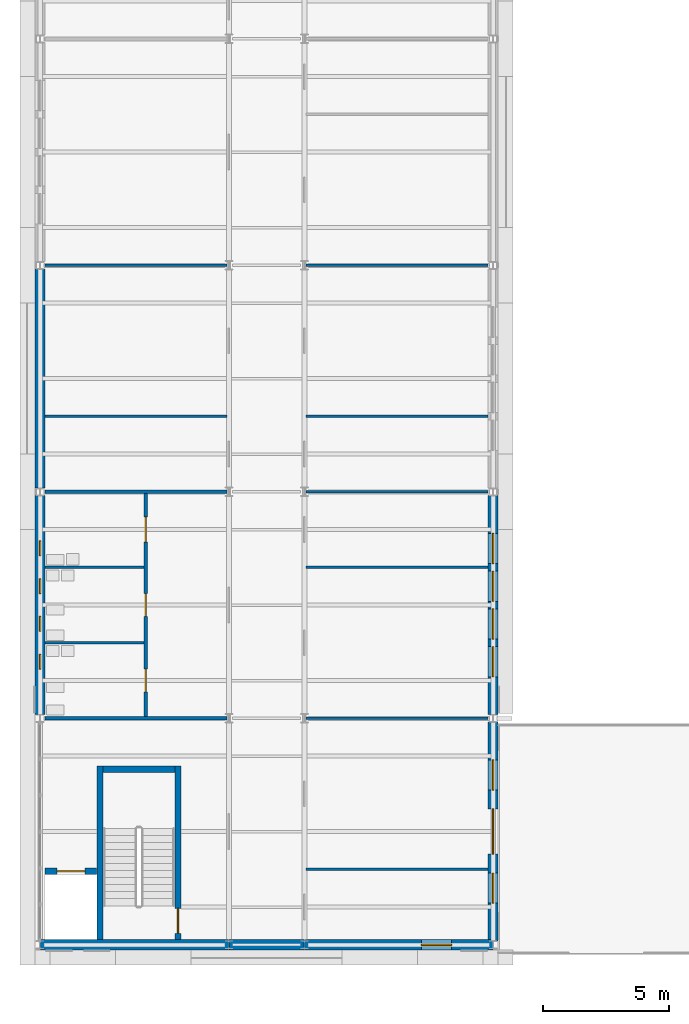
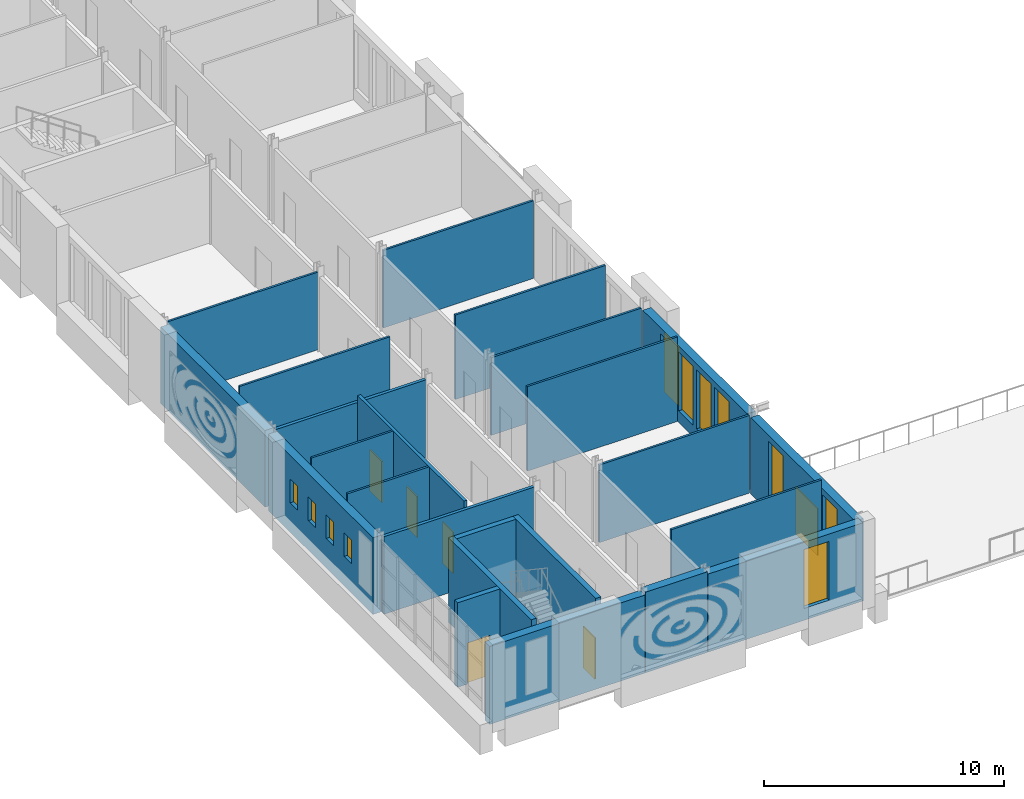
# One storey, part 69 of 134: 24 walls, 11 windows, 6 doors, 17 openings.
"""IFC4 building model written with IfcOpenShell, lengths in metres."""

from ifc_helpers import new_model, si_unit, direction, frame, frame_2d, origin, place, context, subcontext, project, spatial, rectangle, extrude, material, layer, layer_set, type_object, element, fill, save


model = new_model("IFC4")

# Units and contexts
model_context = context("Model", 3, precision=1e-05, world=origin(), true_north=direction((0.0, 1.0)))
body_context = subcontext(model_context, "Body", "Model", "MODEL_VIEW")
ifc_project = project(units=[si_unit("LENGTHUNIT", "METRE"), si_unit("AREAUNIT", "SQUARE_METRE"), si_unit("VOLUMEUNIT", "CUBIC_METRE"), si_unit("PLANEANGLEUNIT", "RADIAN"), si_unit("MASSUNIT", "GRAM", prefix="KILO")], contexts=[model_context])

# Site, building, storey
site_placement = place(None, origin())
site = spatial("IfcSite", under=ifc_project, at=site_placement, CompositionType="ELEMENT")
building_placement = place(site_placement, origin())
building = spatial("IfcBuilding", under=site, at=building_placement, Name="Golden Quay Civic Hall", CompositionType="ELEMENT")
storey_placement = place(building_placement, frame((0.0, 0.0, 5.39990234375)))
storey = spatial("IfcBuildingStorey", under=building, at=storey_placement, Name="L01", CompositionType="ELEMENT", Elevation=5.39990234375)

# Wall
ifc_material_1 = material(Name="Concrete C40/50", Category="concrete")
ifc_layer_1 = layer(ifc_material_1, 0.25)
ifc_layer_set_1 = layer_set([ifc_layer_1], Name="Concrete core wall 250, Concrete C40/50")
wall_type_1 = type_object("IfcWallType", Name="Concrete core wall 250", PredefinedType="SHEAR", material=ifc_layer_set_1)
wall_1_placement = place(storey_placement, frame((2.375, -8.800048828125, 0.0), z_axis=(0.0, 0.0, 1.0), x_axis=(0.0, 1.0, 0.0)))
element("IfcWall", 1, at=wall_1_placement, inside=storey, type_object=wall_type_1, Name="Core wall WO-S-W1", PredefinedType="SHEAR", context=body_context, shape_type="SweptSolid", body=[
    extrude(rectangle(XDim=6.900146484375, YDim=0.25, at=frame_2d((3.4501953125, 0.0))), origin(), (0.0, 0.0, 1.0), 4.300048828125),
])

# Wall, opening, door
wall_2_placement = place(storey_placement, frame((5.47509765625, -8.800048828125, 0.0), z_axis=(0.0, 0.0, 1.0), x_axis=(0.0, 1.0, 0.0)))
wall_2 = element("IfcWall", 2, at=wall_2_placement, inside=storey, type_object=wall_type_1, Name="Core wall WO-S-W2", PredefinedType="SHEAR", context=body_context, shape_type="SweptSolid", body=[
    extrude(rectangle(XDim=6.900146484375, YDim=0.25, at=frame_2d((3.4501953125, 0.0))), origin(), (0.0, 0.0, 1.0), 4.300048828125),
])
opening_1_placement = place(wall_2_placement, frame((0.25, 0.0, 0.0)))
opening_1 = element("IfcOpeningElement", 3, at=opening_1_placement, cuts=wall_2, Name="Opening L01-D052", PredefinedType="OPENING", context=body_context, shape_type="SweptSolid", body=[
    extrude(rectangle(XDim=1.0, YDim=2.10009765625, at=frame_2d((0.5, 1.050048828125))), frame((0.0, 0.135009765625, 0.0), z_axis=(0.0, -1.0, 0.0), x_axis=(1.0, 0.0, 0.0)), (0.0, 0.0, 1.0), 0.27001953125),
])
ifc_material_2 = material(Name="Steel", Category="steel")
door_type_1 = type_object("IfcDoorType", Name="Steel fire door FD60 1000 x 2100", OperationType="SINGLE_SWING_LEFT", PredefinedType="DOOR", material=ifc_material_2)
door_1_placement = place(opening_1_placement, origin())
door_1 = element("IfcDoor", 4, at=door_1_placement, inside=storey, type_object=door_type_1, Name="Door L01-D052", OperationType="SINGLE_SWING_LEFT", OverallHeight=2.10009765625, OverallWidth=1.0, PredefinedType="DOOR", context=body_context, shape_type="SweptSolid", body=[
    extrude(rectangle(XDim=1.0, YDim=2.10009765625, at=frame_2d((0.5, 1.050048828125))), frame((0.0, 0.02490234375, 0.0), z_axis=(0.0, -1.0, 0.0), x_axis=(1.0, 0.0, 0.0)), (0.0, 0.0, 1.0), 0.050048828125),
])
fill(opening_1, door_1)

# Wall
wall_3_placement = place(storey_placement, frame((2.5, -2.02490234375, 0.0), z_axis=(0.0, 0.0, 1.0), x_axis=(1.0, 0.0, 0.0)))
element("IfcWall", 5, at=wall_3_placement, inside=storey, type_object=wall_type_1, Name="Core wall WO-S-W3", PredefinedType="SHEAR", context=body_context, shape_type="SweptSolid", body=[
    extrude(rectangle(XDim=2.85009765625, YDim=0.25, at=frame_2d((1.425048828125, 0.0))), origin(), (0.0, 0.0, 1.0), 4.300048828125),
])

# Wall, opening, door
wall_4_placement = place(storey_placement, frame((0.199951171875, -6.074951171875, 0.0), z_axis=(0.0, 0.0, 1.0), x_axis=(1.0, 0.0, 0.0)))
wall_4 = element("IfcWall", 6, at=wall_4_placement, inside=storey, type_object=wall_type_1, Name="Core wall WO-S-W4", PredefinedType="SHEAR", context=body_context, shape_type="SweptSolid", body=[
    extrude(rectangle(XDim=2.050048828125, YDim=0.25, at=frame_2d((1.02490234375, 0.0))), origin(), (0.0, 0.0, 1.0), 4.300048828125),
])
opening_2_placement = place(wall_4_placement, frame((0.47509765625, 0.0, 0.0)))
opening_2 = element("IfcOpeningElement", 7, at=opening_2_placement, cuts=wall_4, Name="Opening L01-D068", PredefinedType="OPENING", context=body_context, shape_type="SweptSolid", body=[
    extrude(rectangle(XDim=1.10009765625, YDim=2.10009765625, at=frame_2d((0.550048828125, 1.050048828125))), frame((0.0, 0.135009765625, 0.0), z_axis=(0.0, -1.0, 0.0), x_axis=(1.0, 0.0, 0.0)), (0.0, 0.0, 1.0), 0.27001953125),
])
ifc_material_3 = material(Name="Steel", Category="steel")
door_type_2 = type_object("IfcDoorType", Name="Lift landing door 1100 x 2100", OperationType="SLIDING_TO_LEFT", PredefinedType="DOOR", material=ifc_material_3)
door_2_placement = place(opening_2_placement, origin())
door_2 = element("IfcDoor", 8, at=door_2_placement, inside=storey, type_object=door_type_2, Name="Lift landing door L01-D068 WO-S", OperationType="SLIDING_TO_LEFT", OverallHeight=2.10009765625, OverallWidth=1.10009765625, PredefinedType="DOOR", context=body_context, shape_type="SweptSolid", body=[
    extrude(rectangle(XDim=1.10009765625, YDim=2.10009765625, at=frame_2d((0.550048828125, 1.050048828125))), frame((0.0, 0.02490234375, 0.0), z_axis=(0.0, -1.0, 0.0), x_axis=(1.0, 0.0, 0.0)), (0.0, 0.0, 1.0), 0.050048828125),
])
fill(opening_2, door_2)

# Walls
ifc_material_4 = material(Name="Plasterboard on steel studs", Category="steel")
ifc_layer_2 = layer(ifc_material_4, 0.10009765625)
ifc_layer_set_2 = layer_set([ifc_layer_2], Name="Partition 100 stud")
wall_type_2 = type_object("IfcWallType", Name="Partition 100 stud", PredefinedType="PARTITIONING", material=ifc_layer_set_2)
wall_5_placement = place(storey_placement, frame((0.199951171875, 12.0, 0.0), z_axis=(0.0, 0.0, 1.0), x_axis=(1.0, 0.0, 0.0)))
element("IfcWall", 9, at=wall_5_placement, inside=storey, type_object=wall_type_2, Name="Partition L01-001", PredefinedType="PARTITIONING", context=body_context, shape_type="SweptSolid", body=[
    extrude(rectangle(XDim=7.22509765625, YDim=0.10009765625, at=frame_2d((3.612548828125, 0.0))), origin(), (0.0, 0.0, 1.0), 4.300048828125),
])
wall_6_placement = place(storey_placement, frame((0.199951171875, 18.0, 0.0), z_axis=(0.0, 0.0, 1.0), x_axis=(1.0, 0.0, 0.0)))
element("IfcWall", 10, at=wall_6_placement, inside=storey, type_object=wall_type_2, Name="Partition L01-002", PredefinedType="PARTITIONING", context=body_context, shape_type="SweptSolid", body=[
    extrude(rectangle(XDim=7.22509765625, YDim=0.10009765625, at=frame_2d((3.612548828125, 0.0))), origin(), (0.0, 0.0, 1.0), 3.9501953125),
])
wall_7_placement = place(storey_placement, frame((10.574951171875, -6.0, 0.0), z_axis=(0.0, 0.0, 1.0), x_axis=(1.0, 0.0, 0.0)))
element("IfcWall", 11, at=wall_7_placement, inside=storey, type_object=wall_type_2, Name="Partition L01-010", PredefinedType="PARTITIONING", context=body_context, shape_type="SweptSolid", body=[
    extrude(rectangle(XDim=7.22509765625, YDim=0.10009765625, at=frame_2d((3.612548828125, 0.0))), origin(), (0.0, 0.0, 1.0), 4.300048828125),
])
wall_8_placement = place(storey_placement, frame((10.574951171875, 0.0, 0.0), z_axis=(0.0, 0.0, 1.0), x_axis=(1.0, 0.0, 0.0)))
element("IfcWall", 12, at=wall_8_placement, inside=storey, type_object=wall_type_2, Name="Partition L01-011", PredefinedType="PARTITIONING", context=body_context, shape_type="SweptSolid", body=[
    extrude(rectangle(XDim=7.22509765625, YDim=0.10009765625, at=frame_2d((3.612548828125, 0.0))), origin(), (0.0, 0.0, 1.0), 3.9501953125),
])
wall_9_placement = place(storey_placement, frame((10.574951171875, 6.0, 0.0), z_axis=(0.0, 0.0, 1.0), x_axis=(1.0, 0.0, 0.0)))
element("IfcWall", 13, at=wall_9_placement, inside=storey, type_object=wall_type_2, Name="Partition L01-012", PredefinedType="PARTITIONING", context=body_context, shape_type="SweptSolid", body=[
    extrude(rectangle(XDim=7.22509765625, YDim=0.10009765625, at=frame_2d((3.612548828125, 0.0))), origin(), (0.0, 0.0, 1.0), 4.300048828125),
])
wall_10_placement = place(storey_placement, frame((10.574951171875, 9.0, 0.0), z_axis=(0.0, 0.0, 1.0), x_axis=(1.0, 0.0, 0.0)))
element("IfcWall", 14, at=wall_10_placement, inside=storey, type_object=wall_type_2, Name="Partition L01-013", PredefinedType="PARTITIONING", context=body_context, shape_type="SweptSolid", body=[
    extrude(rectangle(XDim=7.22509765625, YDim=0.10009765625, at=frame_2d((3.612548828125, 0.0))), origin(), (0.0, 0.0, 1.0), 3.9501953125),
])
wall_11_placement = place(storey_placement, frame((10.574951171875, 12.0, 0.0), z_axis=(0.0, 0.0, 1.0), x_axis=(1.0, 0.0, 0.0)))
element("IfcWall", 15, at=wall_11_placement, inside=storey, type_object=wall_type_2, Name="Partition L01-014", PredefinedType="PARTITIONING", context=body_context, shape_type="SweptSolid", body=[
    extrude(rectangle(XDim=7.22509765625, YDim=0.10009765625, at=frame_2d((3.612548828125, 0.0))), origin(), (0.0, 0.0, 1.0), 4.300048828125),
])
wall_12_placement = place(storey_placement, frame((10.574951171875, 18.0, 0.0), z_axis=(0.0, 0.0, 1.0), x_axis=(1.0, 0.0, 0.0)))
element("IfcWall", 16, at=wall_12_placement, inside=storey, type_object=wall_type_2, Name="Partition L01-015", PredefinedType="PARTITIONING", context=body_context, shape_type="SweptSolid", body=[
    extrude(rectangle(XDim=7.22509765625, YDim=0.10009765625, at=frame_2d((3.612548828125, 0.0))), origin(), (0.0, 0.0, 1.0), 3.9501953125),
])
for number, where, z_axis, x_axis, name in (
    (17, (0.199951171875, 3.0, 0.0), (0.0, 0.0, 1.0), (1.0, 0.0, 0.0), "Partition L01-037"),
    (18, (0.199951171875, 6.0, 0.0), (0.0, 0.0, 1.0), (1.0, 0.0, 0.0), "Partition L01-038"),
):
    element("IfcWall", number, at=place(storey_placement, frame(where, z_axis=z_axis, x_axis=x_axis)), inside=storey, type_object=wall_type_2, Name=name, PredefinedType="PARTITIONING", context=body_context, shape_type="SweptSolid", body=[
        extrude(rectangle(XDim=3.925048828125, YDim=0.10009765625, at=frame_2d((1.96240234375, 0.0))), origin(), (0.0, 0.0, 1.0), 4.300048828125),
    ])
ifc_material_5 = material(Name="Plasterboard on steel studs", Category="steel")
ifc_layer_3 = layer(ifc_material_5, 0.14990234375)
ifc_layer_set_3 = layer_set([ifc_layer_3], Name="Partition 150 stud fire EI 60")
wall_type_3 = type_object("IfcWallType", Name="Partition 150 stud fire EI 60", PredefinedType="PARTITIONING", material=ifc_layer_set_3)
for number, where, z_axis, x_axis, name in (
    (19, (0.199951171875, 9.0, 0.0), (0.0, 0.0, 1.0), (1.0, 0.0, 0.0), "Partition L01-000"),
    (20, (0.199951171875, 0.0, 0.0), (0.0, 0.0, 1.0), (1.0, 0.0, 0.0), "Partition L01-026"),
):
    element("IfcWall", number, at=place(storey_placement, frame(where, z_axis=z_axis, x_axis=x_axis)), inside=storey, type_object=wall_type_3, Name=name, PredefinedType="PARTITIONING", context=body_context, shape_type="SweptSolid", body=[
        extrude(rectangle(XDim=7.22509765625, YDim=0.14990234375, at=frame_2d((3.612548828125, 0.0))), origin(), (0.0, 0.0, 1.0), 3.9501953125),
    ])

# Wall, openings, doors
wall_13_placement = place(storey_placement, frame((4.199951171875, 0.074951171875, 0.0), z_axis=(0.0, 0.0, 1.0), x_axis=(0.0, 1.0, 0.0)))
wall_13 = element("IfcWall", 21, at=wall_13_placement, inside=storey, type_object=wall_type_3, Name="Partition L01-036", PredefinedType="PARTITIONING", context=body_context, shape_type="SweptSolid", body=[
    extrude(rectangle(XDim=8.85009765625, YDim=0.14990234375, at=frame_2d((4.425048828125, 0.0))), origin(), (0.0, 0.0, 1.0), 4.300048828125),
])
opening_3_placement = place(wall_13_placement, frame((0.97509765625, 0.0, 0.0)))
opening_3 = element("IfcOpeningElement", 22, at=opening_3_placement, cuts=wall_13, Name="Opening L01-D049", PredefinedType="OPENING", context=body_context, shape_type="SweptSolid", body=[
    extrude(rectangle(XDim=0.89990234375, YDim=2.10009765625, at=frame_2d((0.449951171875, 1.050048828125))), frame((0.0, 0.0849609375, 0.0), z_axis=(0.0, -1.0, 0.0), x_axis=(1.0, 0.0, 0.0)), (0.0, 0.0, 1.0), 0.169921875),
])
opening_4_placement = place(wall_13_placement, frame((3.97509765625, 0.0, 0.0)))
opening_4 = element("IfcOpeningElement", 23, at=opening_4_placement, cuts=wall_13, Name="Opening L01-D050", PredefinedType="OPENING", context=body_context, shape_type="SweptSolid", body=[
    extrude(rectangle(XDim=0.89990234375, YDim=2.10009765625, at=frame_2d((0.449951171875, 1.050048828125))), frame((0.0, 0.0849609375, 0.0), z_axis=(0.0, -1.0, 0.0), x_axis=(1.0, 0.0, 0.0)), (0.0, 0.0, 1.0), 0.169921875),
])
opening_5_placement = place(wall_13_placement, frame((6.925048828125, 0.0, 0.0)))
opening_5 = element("IfcOpeningElement", 24, at=opening_5_placement, cuts=wall_13, Name="Opening L01-D051", PredefinedType="OPENING", context=body_context, shape_type="SweptSolid", body=[
    extrude(rectangle(XDim=1.0, YDim=2.10009765625, at=frame_2d((0.5, 1.050048828125))), frame((0.0, 0.0849609375, 0.0), z_axis=(0.0, -1.0, 0.0), x_axis=(1.0, 0.0, 0.0)), (0.0, 0.0, 1.0), 0.169921875),
])
ifc_material_6 = material(Name="Timber", Category="wood")
door_type_3 = type_object("IfcDoorType", Name="Timber door 1000 x 2100", OperationType="SINGLE_SWING_LEFT", PredefinedType="DOOR", material=ifc_material_6)
door_3_placement = place(opening_5_placement, origin())
door_3 = element("IfcDoor", 25, at=door_3_placement, inside=storey, type_object=door_type_3, Name="Door L01-D051", OperationType="SINGLE_SWING_LEFT", OverallHeight=2.10009765625, OverallWidth=1.0, PredefinedType="DOOR", context=body_context, shape_type="SweptSolid", body=[
    extrude(rectangle(XDim=1.0, YDim=2.10009765625, at=frame_2d((0.5, 1.050048828125))), frame((0.0, 0.02490234375, 0.0), z_axis=(0.0, -1.0, 0.0), x_axis=(1.0, 0.0, 0.0)), (0.0, 0.0, 1.0), 0.050048828125),
])
fill(opening_5, door_3)
ifc_material_7 = material(Name="Timber", Category="wood")
door_type_4 = type_object("IfcDoorType", Name="Timber door 900 x 2100", OperationType="SINGLE_SWING_LEFT", PredefinedType="DOOR", material=ifc_material_7)
door_4_placement = place(opening_3_placement, origin())
door_4 = element("IfcDoor", 26, at=door_4_placement, inside=storey, type_object=door_type_4, Name="Door L01-D049", OperationType="SINGLE_SWING_LEFT", OverallHeight=2.10009765625, OverallWidth=0.89990234375, PredefinedType="DOOR", context=body_context, shape_type="SweptSolid", body=[
    extrude(rectangle(XDim=0.89990234375, YDim=2.10009765625, at=frame_2d((0.449951171875, 1.050048828125))), frame((0.0, 0.02490234375, 0.0), z_axis=(0.0, -1.0, 0.0), x_axis=(1.0, 0.0, 0.0)), (0.0, 0.0, 1.0), 0.050048828125),
])
fill(opening_3, door_4)
door_5_placement = place(opening_4_placement, origin())
door_5 = element("IfcDoor", 27, at=door_5_placement, inside=storey, type_object=door_type_4, Name="Door L01-D050", OperationType="SINGLE_SWING_LEFT", OverallHeight=2.10009765625, OverallWidth=0.89990234375, PredefinedType="DOOR", context=body_context, shape_type="SweptSolid", body=[
    extrude(rectangle(XDim=0.89990234375, YDim=2.10009765625, at=frame_2d((0.449951171875, 1.050048828125))), frame((0.0, 0.02490234375, 0.0), z_axis=(0.0, -1.0, 0.0), x_axis=(1.0, 0.0, 0.0)), (0.0, 0.0, 1.0), 0.050048828125),
])
fill(opening_4, door_5)

# Wall, openings, windows
ifc_material_8 = material(Name="Clay block, rendered, cream")
ifc_layer_4 = layer(ifc_material_8, 0.39990234375)
ifc_layer_set_4 = layer_set([ifc_layer_4], Name="Rendered block external wall 400")
wall_type_4 = type_object("IfcWallType", Name="Rendered block external wall 400", PredefinedType="STANDARD", material=ifc_layer_set_4)
wall_14_placement = place(storey_placement, frame((0.0, 0.14990234375, 0.0), z_axis=(0.0, 0.0, 1.0), x_axis=(0.0, 1.0, 0.0)))
wall_14 = element("IfcWall", 28, at=wall_14_placement, inside=storey, type_object=wall_type_4, Name="Rendered block external wall 400 L01 1", PredefinedType="STANDARD", context=body_context, shape_type="SweptSolid", body=[
    extrude(rectangle(XDim=8.7001953125, YDim=0.39990234375, at=frame_2d((4.35009765625, 0.0))), origin(), (0.0, 0.0, 1.0), 3.900146484375),
])
opening_6_placement = place(wall_14_placement, frame((1.800048828125, 0.0, 1.5)))
opening_6 = element("IfcOpeningElement", 29, at=opening_6_placement, cuts=wall_14, Name="Opening WN1", PredefinedType="OPENING", context=body_context, shape_type="SweptSolid", body=[
    extrude(rectangle(XDim=0.60009765625, YDim=1.199951171875, at=frame_2d((0.300048828125, 0.60009765625))), frame((0.0, 0.2099609375, 0.0), z_axis=(0.0, -1.0, 0.0), x_axis=(1.0, 0.0, 0.0)), (0.0, 0.0, 1.0), 0.419921875),
])
opening_7_placement = place(wall_14_placement, frame((3.300048828125, 0.0, 1.5)))
opening_7 = element("IfcOpeningElement", 30, at=opening_7_placement, cuts=wall_14, Name="Opening WN1", PredefinedType="OPENING", context=body_context, shape_type="SweptSolid", body=[
    extrude(rectangle(XDim=0.60009765625, YDim=1.199951171875, at=frame_2d((0.300048828125, 0.60009765625))), frame((0.0, 0.2099609375, 0.0), z_axis=(0.0, -1.0, 0.0), x_axis=(1.0, 0.0, 0.0)), (0.0, 0.0, 1.0), 0.419921875),
])
opening_8_placement = place(wall_14_placement, frame((4.800048828125, 0.0, 1.5)))
opening_8 = element("IfcOpeningElement", 31, at=opening_8_placement, cuts=wall_14, Name="Opening WN1", PredefinedType="OPENING", context=body_context, shape_type="SweptSolid", body=[
    extrude(rectangle(XDim=0.60009765625, YDim=1.199951171875, at=frame_2d((0.300048828125, 0.60009765625))), frame((0.0, 0.2099609375, 0.0), z_axis=(0.0, -1.0, 0.0), x_axis=(1.0, 0.0, 0.0)), (0.0, 0.0, 1.0), 0.419921875),
])
opening_9_placement = place(wall_14_placement, frame((6.300048828125, 0.0, 1.5)))
opening_9 = element("IfcOpeningElement", 32, at=opening_9_placement, cuts=wall_14, Name="Opening WN1", PredefinedType="OPENING", context=body_context, shape_type="SweptSolid", body=[
    extrude(rectangle(XDim=0.60009765625, YDim=1.199951171875, at=frame_2d((0.300048828125, 0.60009765625))), frame((0.0, 0.2099609375, 0.0), z_axis=(0.0, -1.0, 0.0), x_axis=(1.0, 0.0, 0.0)), (0.0, 0.0, 1.0), 0.419921875),
])
ifc_material_9 = material(Name="Aluminium frame, double glazed", Category="aluminium")
window_type_1 = type_object("IfcWindowType", Name="WC window 600 x 1200", PartitioningType="SINGLE_PANEL", PredefinedType="WINDOW", material=ifc_material_9)
window_1_placement = place(opening_6_placement, origin())
window_1 = element("IfcWindow", 33, at=window_1_placement, inside=storey, type_object=window_type_1, Name="WC window 600 x 1200 L01 1", OverallHeight=1.199951171875, OverallWidth=0.60009765625, PartitioningType="SINGLE_PANEL", PredefinedType="WINDOW", context=body_context, shape_type="SweptSolid", body=[
    extrude(rectangle(XDim=0.60009765625, YDim=1.199951171875, at=frame_2d((0.300048828125, 0.60009765625))), frame((0.0, 0.030029296875, 0.0), z_axis=(0.0, -1.0, 0.0), x_axis=(1.0, 0.0, 0.0)), (0.0, 0.0, 1.0), 0.06005859375),
])
fill(opening_6, window_1)
window_2_placement = place(opening_7_placement, origin())
window_2 = element("IfcWindow", 34, at=window_2_placement, inside=storey, type_object=window_type_1, Name="WC window 600 x 1200 L01 2", OverallHeight=1.199951171875, OverallWidth=0.60009765625, PartitioningType="SINGLE_PANEL", PredefinedType="WINDOW", context=body_context, shape_type="SweptSolid", body=[
    extrude(rectangle(XDim=0.60009765625, YDim=1.199951171875, at=frame_2d((0.300048828125, 0.60009765625))), frame((0.0, 0.030029296875, 0.0), z_axis=(0.0, -1.0, 0.0), x_axis=(1.0, 0.0, 0.0)), (0.0, 0.0, 1.0), 0.06005859375),
])
fill(opening_7, window_2)
window_3_placement = place(opening_8_placement, origin())
window_3 = element("IfcWindow", 35, at=window_3_placement, inside=storey, type_object=window_type_1, Name="WC window 600 x 1200 L01 3", OverallHeight=1.199951171875, OverallWidth=0.60009765625, PartitioningType="SINGLE_PANEL", PredefinedType="WINDOW", context=body_context, shape_type="SweptSolid", body=[
    extrude(rectangle(XDim=0.60009765625, YDim=1.199951171875, at=frame_2d((0.300048828125, 0.60009765625))), frame((0.0, 0.030029296875, 0.0), z_axis=(0.0, -1.0, 0.0), x_axis=(1.0, 0.0, 0.0)), (0.0, 0.0, 1.0), 0.06005859375),
])
fill(opening_8, window_3)
window_4_placement = place(opening_9_placement, origin())
window_4 = element("IfcWindow", 36, at=window_4_placement, inside=storey, type_object=window_type_1, Name="WC window 600 x 1200 L01 4", OverallHeight=1.199951171875, OverallWidth=0.60009765625, PartitioningType="SINGLE_PANEL", PredefinedType="WINDOW", context=body_context, shape_type="SweptSolid", body=[
    extrude(rectangle(XDim=0.60009765625, YDim=1.199951171875, at=frame_2d((0.300048828125, 0.60009765625))), frame((0.0, 0.030029296875, 0.0), z_axis=(0.0, -1.0, 0.0), x_axis=(1.0, 0.0, 0.0)), (0.0, 0.0, 1.0), 0.06005859375),
])
fill(opening_9, window_4)

# Wall
wall_15_placement = place(storey_placement, frame((0.0, 9.14990234375, 0.0), z_axis=(0.0, 0.0, 1.0), x_axis=(0.0, 1.0, 0.0)))
element("IfcWall", 37, at=wall_15_placement, inside=storey, type_object=wall_type_4, Name="Rendered block external wall 400 L01 2", PredefinedType="STANDARD", context=body_context, shape_type="SweptSolid", body=[
    extrude(rectangle(XDim=8.7001953125, YDim=0.39990234375, at=frame_2d((4.35009765625, 0.0))), origin(), (0.0, 0.0, 1.0), 3.900146484375),
])

# Wall, openings, door, windows
wall_16_placement = place(storey_placement, frame((18.0, -0.14990234375, 0.0), z_axis=(0.0, 0.0, 1.0), x_axis=(0.0, -1.0, 0.0)))
wall_16 = element("IfcWall", 38, at=wall_16_placement, inside=storey, type_object=wall_type_4, Name="Rendered block external wall 400 L01 12", PredefinedType="STANDARD", context=body_context, shape_type="SweptSolid", body=[
    extrude(rectangle(XDim=8.7001953125, YDim=0.39990234375, at=frame_2d((4.35009765625, 0.0))), origin(), (0.0, 0.0, 1.0), 3.900146484375),
])
opening_10_placement = place(wall_16_placement, frame((3.449951171875, 0.0, 0.0)))
opening_10 = element("IfcOpeningElement", 39, at=opening_10_placement, cuts=wall_16, Name="Opening L01-D001", PredefinedType="OPENING", context=body_context, shape_type="SweptSolid", body=[
    extrude(rectangle(XDim=1.800048828125, YDim=2.39990234375, at=frame_2d((0.89990234375, 1.199951171875))), frame((0.0, 0.2099609375, 0.0), z_axis=(0.0, -1.0, 0.0), x_axis=(1.0, 0.0, 0.0)), (0.0, 0.0, 1.0), 0.419921875),
])
opening_11_placement = place(wall_16_placement, frame((6.0, 0.0, 0.60009765625)))
opening_11 = element("IfcOpeningElement", 40, at=opening_11_placement, cuts=wall_16, Name="Opening WN5", PredefinedType="OPENING", context=body_context, shape_type="SweptSolid", body=[
    extrude(rectangle(XDim=1.199951171875, YDim=3.0, at=frame_2d((0.60009765625, 1.5))), frame((0.0, 0.2099609375, 0.0), z_axis=(0.0, -1.0, 0.0), x_axis=(1.0, 0.0, 0.0)), (0.0, 0.0, 1.0), 0.419921875),
])
opening_12_placement = place(wall_16_placement, frame((1.5, 0.0, 0.60009765625)))
opening_12 = element("IfcOpeningElement", 41, at=opening_12_placement, cuts=wall_16, Name="Opening WN5", PredefinedType="OPENING", context=body_context, shape_type="SweptSolid", body=[
    extrude(rectangle(XDim=1.199951171875, YDim=3.0, at=frame_2d((0.60009765625, 1.5))), frame((0.0, 0.2099609375, 0.0), z_axis=(0.0, -1.0, 0.0), x_axis=(1.0, 0.0, 0.0)), (0.0, 0.0, 1.0), 0.419921875),
])
ifc_material_10 = material(Name="Aluminium frame, glazed", Category="aluminium")
door_type_5 = type_object("IfcDoorType", Name="Glazed double terrace door 1800 x 2400", OperationType="DOUBLE_DOOR_SINGLE_SWING", PredefinedType="DOOR", material=ifc_material_10)
door_6_placement = place(opening_10_placement, origin())
door_6 = element("IfcDoor", 42, at=door_6_placement, inside=storey, type_object=door_type_5, Name="Door L01-D001", OperationType="DOUBLE_DOOR_SINGLE_SWING", OverallHeight=2.39990234375, OverallWidth=1.800048828125, PredefinedType="DOOR", context=body_context, shape_type="SweptSolid", body=[
    extrude(rectangle(XDim=1.800048828125, YDim=2.39990234375, at=frame_2d((0.89990234375, 1.199951171875))), frame((0.0, 0.02490234375, 0.0), z_axis=(0.0, -1.0, 0.0), x_axis=(1.0, 0.0, 0.0)), (0.0, 0.0, 1.0), 0.050048828125),
])
fill(opening_10, door_6)
ifc_material_11 = material(Name="Aluminium frame, double glazed", Category="aluminium")
window_type_2 = type_object("IfcWindowType", Name="Golden grid window 1200 x 3000", PartitioningType="SINGLE_PANEL", PredefinedType="WINDOW", material=ifc_material_11)
window_5_placement = place(opening_11_placement, origin())
window_5 = element("IfcWindow", 43, at=window_5_placement, inside=storey, type_object=window_type_2, Name="Golden grid window 1200 x 3000 L01 14", OverallHeight=3.0, OverallWidth=1.199951171875, PartitioningType="SINGLE_PANEL", PredefinedType="WINDOW", context=body_context, shape_type="SweptSolid", body=[
    extrude(rectangle(XDim=1.199951171875, YDim=3.0, at=frame_2d((0.60009765625, 1.5))), frame((0.0, 0.030029296875, 0.0), z_axis=(0.0, -1.0, 0.0), x_axis=(1.0, 0.0, 0.0)), (0.0, 0.0, 1.0), 0.06005859375),
])
fill(opening_11, window_5)
window_6_placement = place(opening_12_placement, origin())
window_6 = element("IfcWindow", 44, at=window_6_placement, inside=storey, type_object=window_type_2, Name="Golden grid window 1200 x 3000 L01 15", OverallHeight=3.0, OverallWidth=1.199951171875, PartitioningType="SINGLE_PANEL", PredefinedType="WINDOW", context=body_context, shape_type="SweptSolid", body=[
    extrude(rectangle(XDim=1.199951171875, YDim=3.0, at=frame_2d((0.60009765625, 1.5))), frame((0.0, 0.030029296875, 0.0), z_axis=(0.0, -1.0, 0.0), x_axis=(1.0, 0.0, 0.0)), (0.0, 0.0, 1.0), 0.06005859375),
])
fill(opening_12, window_6)

# Wall, openings, windows
wall_17_placement = place(storey_placement, frame((18.0, 8.85009765625, 0.0), z_axis=(0.0, 0.0, 1.0), x_axis=(0.0, -1.0, 0.0)))
wall_17 = element("IfcWall", 45, at=wall_17_placement, inside=storey, type_object=wall_type_4, Name="Rendered block external wall 400 L01 13", PredefinedType="STANDARD", context=body_context, shape_type="SweptSolid", body=[
    extrude(rectangle(XDim=8.7001953125, YDim=0.39990234375, at=frame_2d((4.35009765625, 0.0))), origin(), (0.0, 0.0, 1.0), 3.900146484375),
])
opening_13_placement = place(wall_17_placement, frame((6.0, 0.0, 0.60009765625)))
opening_13 = element("IfcOpeningElement", 46, at=opening_13_placement, cuts=wall_17, Name="Opening WN5", PredefinedType="OPENING", context=body_context, shape_type="SweptSolid", body=[
    extrude(rectangle(XDim=1.199951171875, YDim=3.0, at=frame_2d((0.60009765625, 1.5))), frame((0.0, 0.2099609375, 0.0), z_axis=(0.0, -1.0, 0.0), x_axis=(1.0, 0.0, 0.0)), (0.0, 0.0, 1.0), 0.419921875),
])
opening_14_placement = place(wall_17_placement, frame((4.5, 0.0, 0.60009765625)))
opening_14 = element("IfcOpeningElement", 47, at=opening_14_placement, cuts=wall_17, Name="Opening WN5", PredefinedType="OPENING", context=body_context, shape_type="SweptSolid", body=[
    extrude(rectangle(XDim=1.199951171875, YDim=3.0, at=frame_2d((0.60009765625, 1.5))), frame((0.0, 0.2099609375, 0.0), z_axis=(0.0, -1.0, 0.0), x_axis=(1.0, 0.0, 0.0)), (0.0, 0.0, 1.0), 0.419921875),
])
opening_15_placement = place(wall_17_placement, frame((3.0, 0.0, 0.60009765625)))
opening_15 = element("IfcOpeningElement", 48, at=opening_15_placement, cuts=wall_17, Name="Opening WN5", PredefinedType="OPENING", context=body_context, shape_type="SweptSolid", body=[
    extrude(rectangle(XDim=1.199951171875, YDim=3.0, at=frame_2d((0.60009765625, 1.5))), frame((0.0, 0.2099609375, 0.0), z_axis=(0.0, -1.0, 0.0), x_axis=(1.0, 0.0, 0.0)), (0.0, 0.0, 1.0), 0.419921875),
])
opening_16_placement = place(wall_17_placement, frame((1.5, 0.0, 0.60009765625)))
opening_16 = element("IfcOpeningElement", 49, at=opening_16_placement, cuts=wall_17, Name="Opening WN5", PredefinedType="OPENING", context=body_context, shape_type="SweptSolid", body=[
    extrude(rectangle(XDim=1.199951171875, YDim=3.0, at=frame_2d((0.60009765625, 1.5))), frame((0.0, 0.2099609375, 0.0), z_axis=(0.0, -1.0, 0.0), x_axis=(1.0, 0.0, 0.0)), (0.0, 0.0, 1.0), 0.419921875),
])
window_7_placement = place(opening_13_placement, origin())
window_7 = element("IfcWindow", 50, at=window_7_placement, inside=storey, type_object=window_type_2, Name="Golden grid window 1200 x 3000 L01 16", OverallHeight=3.0, OverallWidth=1.199951171875, PartitioningType="SINGLE_PANEL", PredefinedType="WINDOW", context=body_context, shape_type="SweptSolid", body=[
    extrude(rectangle(XDim=1.199951171875, YDim=3.0, at=frame_2d((0.60009765625, 1.5))), frame((0.0, 0.030029296875, 0.0), z_axis=(0.0, -1.0, 0.0), x_axis=(1.0, 0.0, 0.0)), (0.0, 0.0, 1.0), 0.06005859375),
])
fill(opening_13, window_7)
window_8_placement = place(opening_14_placement, origin())
window_8 = element("IfcWindow", 51, at=window_8_placement, inside=storey, type_object=window_type_2, Name="Golden grid window 1200 x 3000 L01 17", OverallHeight=3.0, OverallWidth=1.199951171875, PartitioningType="SINGLE_PANEL", PredefinedType="WINDOW", context=body_context, shape_type="SweptSolid", body=[
    extrude(rectangle(XDim=1.199951171875, YDim=3.0, at=frame_2d((0.60009765625, 1.5))), frame((0.0, 0.030029296875, 0.0), z_axis=(0.0, -1.0, 0.0), x_axis=(1.0, 0.0, 0.0)), (0.0, 0.0, 1.0), 0.06005859375),
])
fill(opening_14, window_8)
window_9_placement = place(opening_15_placement, origin())
window_9 = element("IfcWindow", 52, at=window_9_placement, inside=storey, type_object=window_type_2, Name="Golden grid window 1200 x 3000 L01 18", OverallHeight=3.0, OverallWidth=1.199951171875, PartitioningType="SINGLE_PANEL", PredefinedType="WINDOW", context=body_context, shape_type="SweptSolid", body=[
    extrude(rectangle(XDim=1.199951171875, YDim=3.0, at=frame_2d((0.60009765625, 1.5))), frame((0.0, 0.030029296875, 0.0), z_axis=(0.0, -1.0, 0.0), x_axis=(1.0, 0.0, 0.0)), (0.0, 0.0, 1.0), 0.06005859375),
])
fill(opening_15, window_9)
window_10_placement = place(opening_16_placement, origin())
window_10 = element("IfcWindow", 53, at=window_10_placement, inside=storey, type_object=window_type_2, Name="Golden grid window 1200 x 3000 L01 19", OverallHeight=3.0, OverallWidth=1.199951171875, PartitioningType="SINGLE_PANEL", PredefinedType="WINDOW", context=body_context, shape_type="SweptSolid", body=[
    extrude(rectangle(XDim=1.199951171875, YDim=3.0, at=frame_2d((0.60009765625, 1.5))), frame((0.0, 0.030029296875, 0.0), z_axis=(0.0, -1.0, 0.0), x_axis=(1.0, 0.0, 0.0)), (0.0, 0.0, 1.0), 0.06005859375),
])
fill(opening_16, window_10)

# Wall
wall_18_placement = place(storey_placement, frame((10.489501953125, -9.0, 0.0), z_axis=(0.0, 0.0, 1.0), x_axis=(-1.0, 0.0, 0.0)))
element("IfcWall", 54, at=wall_18_placement, inside=storey, type_object=wall_type_4, Name="Rendered block external wall 400 L01 19", PredefinedType="STANDARD", context=body_context, shape_type="SweptSolid", body=[
    extrude(rectangle(XDim=2.97900390625, YDim=0.39990234375, at=frame_2d((1.489501953125, 0.0))), origin(), (0.0, 0.0, 1.0), 4.10009765625),
])

# Wall, opening, window
wall_19_placement = place(storey_placement, frame((17.989501953125, -9.0, 0.0), z_axis=(0.0, 0.0, 1.0), x_axis=(-1.0, 0.0, 0.0)))
wall_19 = element("IfcWall", 55, at=wall_19_placement, inside=storey, type_object=wall_type_4, Name="Rendered block external wall 400 L01 20", PredefinedType="STANDARD", context=body_context, shape_type="SweptSolid", body=[
    extrude(rectangle(XDim=7.47900390625, YDim=0.39990234375, at=frame_2d((3.739501953125, 0.0))), origin(), (0.0, 0.0, 1.0), 3.97021484375),
])
opening_17_placement = place(wall_19_placement, frame((1.639404296875, 0.0, 0.60009765625)))
opening_17 = element("IfcOpeningElement", 56, at=opening_17_placement, cuts=wall_19, Name="Opening WN5", PredefinedType="OPENING", context=body_context, shape_type="SweptSolid", body=[
    extrude(rectangle(XDim=1.199951171875, YDim=3.0, at=frame_2d((0.60009765625, 1.5))), frame((0.0, 0.2099609375, 0.0), z_axis=(0.0, -1.0, 0.0), x_axis=(1.0, 0.0, 0.0)), (0.0, 0.0, 1.0), 0.419921875),
])
window_11_placement = place(opening_17_placement, origin())
window_11 = element("IfcWindow", 57, at=window_11_placement, inside=storey, type_object=window_type_2, Name="Golden grid window 1200 x 3000 L01 32", OverallHeight=3.0, OverallWidth=1.199951171875, PartitioningType="SINGLE_PANEL", PredefinedType="WINDOW", context=body_context, shape_type="SweptSolid", body=[
    extrude(rectangle(XDim=1.199951171875, YDim=3.0, at=frame_2d((0.60009765625, 1.5))), frame((0.0, 0.030029296875, 0.0), z_axis=(0.0, -1.0, 0.0), x_axis=(1.0, 0.0, 0.0)), (0.0, 0.0, 1.0), 0.06005859375),
])
fill(opening_17, window_11)

# Wall
ifc_material_12 = material(Name="Clay block, rendered, cream")
ifc_layer_5 = layer(ifc_material_12, 0.39990234375)
ifc_layer_set_5 = layer_set([ifc_layer_5], Name="Rendered block external wall 400 fire EI 60")
wall_type_5 = type_object("IfcWallType", Name="Rendered block external wall 400 fire EI 60", PredefinedType="STANDARD", material=ifc_layer_set_5)
wall_20_placement = place(storey_placement, frame((7.489501953125, -9.0, 0.0), z_axis=(0.0, 0.0, 1.0), x_axis=(-1.0, 0.0, 0.0)))
element("IfcWall", 58, at=wall_20_placement, inside=storey, type_object=wall_type_5, Name="Rendered block external wall 400 fire EI 60 L01 3", PredefinedType="STANDARD", context=body_context, shape_type="SweptSolid", body=[
    extrude(rectangle(XDim=7.47900390625, YDim=0.39990234375, at=frame_2d((3.739501953125, 0.0))), origin(), (0.0, 0.0, 1.0), 3.97021484375),
])

save(model, "model.ifc")
